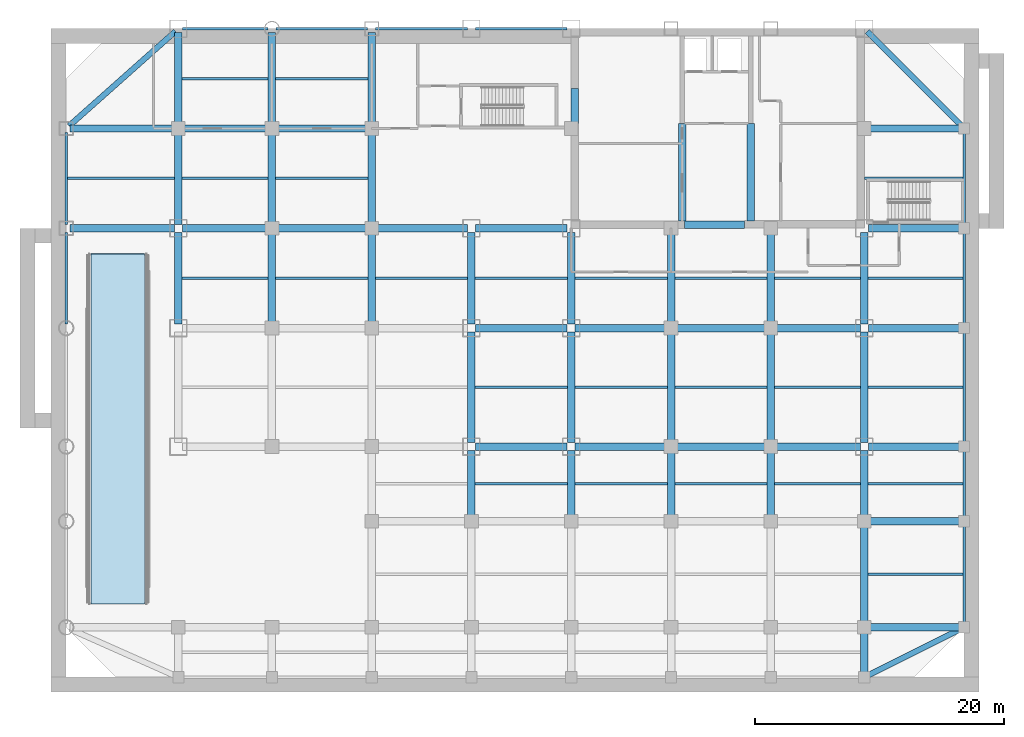
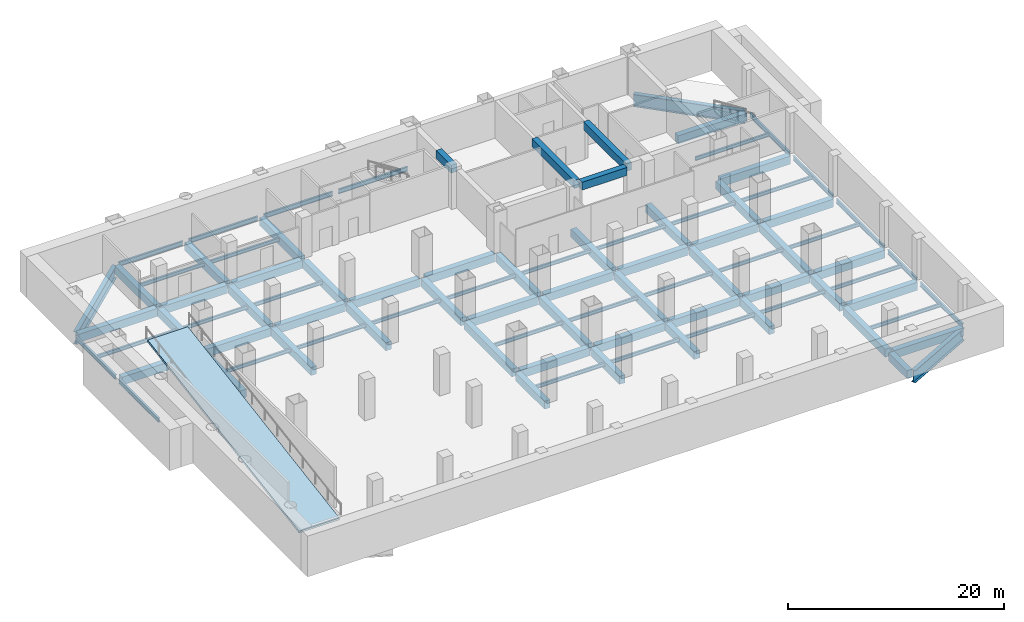
# One storey, part 2 of 8: 91 beams, 1 slab.
"""IFC4 building model written with IfcOpenShell, lengths in metres."""

from ifc_helpers import new_model, si_unit, direction, frame, origin, origin_2d, place, context, subcontext, project, spatial, polyline, rectangle, i_section, outline, extrude, material, layer, layer_set, material_profile, profile_set, type_object, element, save


model = new_model("IFC4")

# Units and contexts
model_context = context("Model", 3, precision=1e-05, world=origin(), true_north=direction((0.0, 1.0)))
body_context = subcontext(model_context, "Body", "Model", "MODEL_VIEW")
ifc_project = project(units=[si_unit("LENGTHUNIT", "METRE"), si_unit("AREAUNIT", "SQUARE_METRE"), si_unit("VOLUMEUNIT", "CUBIC_METRE"), si_unit("PLANEANGLEUNIT", "RADIAN"), si_unit("MASSUNIT", "GRAM", prefix="KILO")], contexts=[model_context])

# Site, building, storey
site_placement = place(None, origin())
site = spatial("IfcSite", under=ifc_project, at=site_placement, CompositionType="ELEMENT")
building_placement = place(site_placement, origin())
building = spatial("IfcBuilding", under=site, at=building_placement, Name="Qianrong Seaharbour Tower", CompositionType="ELEMENT")
storey_placement = place(building_placement, frame((0.0, 0.0, -9.199951171875)))
storey = spatial("IfcBuildingStorey", under=building, at=storey_placement, Name="B02", CompositionType="ELEMENT", Elevation=-9.199951171875)

# Beams
ifc_material_1 = material(Name="Structural steel SN400B", Category="steel")
ifc_material_profile_1 = material_profile(ifc_material_1, i_section(OverallWidth=0.199951171875, OverallDepth=0.39990234375, WebThickness=0.008056640625, FlangeThickness=0.012939453125, FilletRadius=0.01611328125, at=origin_2d()), Name="H400x200x8x13")
ifc_profile_set_1 = profile_set([ifc_material_profile_1], Name="Structural steel SN400B")
beam_type_1 = type_object("IfcBeamType", Name="BM-J-400", PredefinedType="JOIST", material=ifc_profile_set_1)
beam_1_placement = place(storey_placement, frame((0.10009765625, 40.0, -0.56005859375), z_axis=(1.0, 0.0, 0.0), x_axis=(0.0, 1.0, 0.0)))
element("IfcBeam", 1, at=beam_1_placement, inside=storey, type_object=beam_type_1, Name="B02 Composite Floor Joist G1-G2/GF-GG", PredefinedType="JOIST", context=body_context, shape_type="SweptSolid", body=[
    extrude(i_section(OverallWidth=0.199951171875, OverallDepth=0.39990234375, WebThickness=0.008056640625, FlangeThickness=0.012939453125, FilletRadius=0.01611328125, at=origin_2d()), origin(), (0.0, 0.0, 1.0), 8.599853515625),
])
for number, where, z_axis, x_axis, name in (
    (2, (9.300048828125, 32.0, -0.56005859375), (1.0, 0.0, 0.0), (0.0, 1.0, 0.0), "B02 Composite Floor Joist G2-G3/GE-GF"),
    (3, (9.300048828125, 40.0, -0.56005859375), (1.0, 0.0, 0.0), (0.0, 1.0, 0.0), "B02 Composite Floor Joist G2-G3/GF-GG"),
    (4, (9.300048828125, 48.0, -0.56005859375), (1.0, 0.0, 0.0), (0.0, 1.0, 0.0), "B02 Composite Floor Joist G2-G3/GG-GH"),
):
    element("IfcBeam", number, at=place(storey_placement, frame(where, z_axis=z_axis, x_axis=x_axis)), inside=storey, type_object=beam_type_1, Name=name, PredefinedType="JOIST", context=body_context, shape_type="SweptSolid", body=[
        extrude(i_section(OverallWidth=0.199951171875, OverallDepth=0.39990234375, WebThickness=0.008056640625, FlangeThickness=0.012939453125, FilletRadius=0.01611328125, at=origin_2d()), origin(), (0.0, 0.0, 1.0), 6.89990234375),
    ])
for number, where, z_axis, x_axis, name in (
    (5, (16.800048828125, 32.0, -0.56005859375), (1.0, 0.0, 0.0), (0.0, 1.0, 0.0), "B02 Composite Floor Joist G3-G4/GE-GF"),
    (6, (16.800048828125, 40.0, -0.56005859375), (1.0, 0.0, 0.0), (0.0, 1.0, 0.0), "B02 Composite Floor Joist G3-G4/GF-GG"),
    (7, (16.800048828125, 48.0, -0.56005859375), (1.0, 0.0, 0.0), (0.0, 1.0, 0.0), "B02 Composite Floor Joist G3-G4/GG-GH"),
    (8, (24.800048828125, 32.0, -0.56005859375), (1.0, 0.0, 0.0), (0.0, 1.0, 0.0), "B02 Composite Floor Joist G4-G5/GE-GF"),
    (9, (32.800048828125, 15.5, -0.56005859375), (1.0, 0.0, 0.0), (0.0, 1.0, 0.0), "B02 Composite Floor Joist G5-G6/GC-GD"),
    (10, (32.800048828125, 23.25, -0.56005859375), (1.0, 0.0, 0.0), (0.0, 1.0, 0.0), "B02 Composite Floor Joist G5-G6/GD-GE"),
    (11, (32.800048828125, 32.0, -0.56005859375), (1.0, 0.0, 0.0), (0.0, 1.0, 0.0), "B02 Composite Floor Joist G5-G6/GE-GF"),
    (12, (40.800048828125, 15.5, -0.56005859375), (1.0, 0.0, 0.0), (0.0, 1.0, 0.0), "B02 Composite Floor Joist G6-G7/GC-GD"),
    (13, (40.800048828125, 23.25, -0.56005859375), (1.0, 0.0, 0.0), (0.0, 1.0, 0.0), "B02 Composite Floor Joist G6-G7/GD-GE"),
    (14, (40.800048828125, 32.0, -0.56005859375), (1.0, 0.0, 0.0), (0.0, 1.0, 0.0), "B02 Composite Floor Joist G6-G7/GE-GF"),
    (15, (48.800048828125, 15.5, -0.56005859375), (1.0, 0.0, 0.0), (0.0, 1.0, 0.0), "B02 Composite Floor Joist G7-G8/GC-GD"),
    (16, (48.800048828125, 23.25, -0.56005859375), (1.0, 0.0, 0.0), (0.0, 1.0, 0.0), "B02 Composite Floor Joist G7-G8/GD-GE"),
    (17, (48.800048828125, 32.0, -0.56005859375), (1.0, 0.0, 0.0), (0.0, 1.0, 0.0), "B02 Composite Floor Joist G7-G8/GE-GF"),
):
    element("IfcBeam", number, at=place(storey_placement, frame(where, z_axis=z_axis, x_axis=x_axis)), inside=storey, type_object=beam_type_1, Name=name, PredefinedType="JOIST", context=body_context, shape_type="SweptSolid", body=[
        extrude(i_section(OverallWidth=0.199951171875, OverallDepth=0.39990234375, WebThickness=0.008056640625, FlangeThickness=0.012939453125, FilletRadius=0.01611328125, at=origin_2d()), origin(), (0.0, 0.0, 1.0), 7.39990234375),
    ])
for number, where, z_axis, x_axis, name in (
    (18, (56.800048828125, 15.5, -0.56005859375), (1.0, 0.0, 0.0), (0.0, 1.0, 0.0), "B02 Composite Floor Joist G8-G9/GC-GD"),
    (19, (56.800048828125, 23.25, -0.56005859375), (1.0, 0.0, 0.0), (0.0, 1.0, 0.0), "B02 Composite Floor Joist G8-G9/GD-GE"),
    (20, (56.800048828125, 32.0, -0.56005859375), (1.0, 0.0, 0.0), (0.0, 1.0, 0.0), "B02 Composite Floor Joist G8-G9/GE-GF"),
):
    element("IfcBeam", number, at=place(storey_placement, frame(where, z_axis=z_axis, x_axis=x_axis)), inside=storey, type_object=beam_type_1, Name=name, PredefinedType="JOIST", context=body_context, shape_type="SweptSolid", body=[
        extrude(i_section(OverallWidth=0.199951171875, OverallDepth=0.39990234375, WebThickness=0.008056640625, FlangeThickness=0.012939453125, FilletRadius=0.01611328125, at=origin_2d()), origin(), (0.0, 0.0, 1.0), 6.89990234375),
    ])
for number, where, z_axis, x_axis, name in (
    (21, (64.300048828125, 8.25, -0.56005859375), (1.0, 0.0, 0.0), (0.0, 1.0, 0.0), "B02 Composite Floor Joist G9-G10/GB-GC"),
    (22, (64.300048828125, 15.5, -0.56005859375), (1.0, 0.0, 0.0), (0.0, 1.0, 0.0), "B02 Composite Floor Joist G9-G10/GC-GD"),
    (23, (64.300048828125, 23.25, -0.56005859375), (1.0, 0.0, 0.0), (0.0, 1.0, 0.0), "B02 Composite Floor Joist G9-G10/GD-GE"),
    (24, (64.300048828125, 32.0, -0.56005859375), (1.0, 0.0, 0.0), (0.0, 1.0, 0.0), "B02 Composite Floor Joist G9-G10/GE-GF"),
):
    element("IfcBeam", number, at=place(storey_placement, frame(where, z_axis=z_axis, x_axis=x_axis)), inside=storey, type_object=beam_type_1, Name=name, PredefinedType="JOIST", context=body_context, shape_type="SweptSolid", body=[
        extrude(i_section(OverallWidth=0.199951171875, OverallDepth=0.39990234375, WebThickness=0.008056640625, FlangeThickness=0.012939453125, FilletRadius=0.01611328125, at=origin_2d()), origin(), (0.0, 0.0, 1.0), 7.599853515625),
    ])
beam_2_placement = place(storey_placement, frame((64.0, 40.0, -0.56005859375), z_axis=(1.0, 0.0, 0.0), x_axis=(0.0, 1.0, 0.0)))
element("IfcBeam", 25, at=beam_2_placement, inside=storey, type_object=beam_type_1, Name="B02 Composite Floor Joist G9-G10/GF-GG", PredefinedType="JOIST", context=body_context, shape_type="SweptSolid", body=[
    extrude(i_section(OverallWidth=0.199951171875, OverallDepth=0.39990234375, WebThickness=0.008056640625, FlangeThickness=0.012939453125, FilletRadius=0.01611328125, at=origin_2d()), origin(), (0.0, 0.0, 1.0), 7.89990234375),
])
ifc_material_2 = material(Name="Concrete C70/85", Category="concrete")
ifc_material_profile_2 = material_profile(ifc_material_2, rectangle(XDim=0.60009765625, YDim=0.89990234375, at=origin_2d()), Name="RC600x900")
ifc_profile_set_2 = profile_set([ifc_material_profile_2], Name="Concrete C70/85")
beam_type_2 = type_object("IfcBeamType", Name="BM-LINTEL-900", PredefinedType="LINTEL", material=ifc_profile_set_2)
beam_3_placement = place(storey_placement, frame((40.7900390625, 44.39990234375, 3.7900390625), z_axis=(0.0, 1.0, 0.0), x_axis=(-1.0, 0.0, 0.0)))
element("IfcBeam", 26, at=beam_3_placement, inside=storey, type_object=beam_type_2, Name="B02 Core Coupling Lintel Beam West", PredefinedType="LINTEL", context=body_context, shape_type="SweptSolid", body=[
    extrude(rectangle(XDim=0.60009765625, YDim=0.89990234375, at=origin_2d()), origin(), (0.0, 0.0, 1.0), 2.800048828125),
])
beam_4_placement = place(storey_placement, frame((49.60009765625, 36.2900390625, 3.7900390625), z_axis=(1.0, 0.0, 0.0), x_axis=(0.0, 1.0, 0.0)))
element("IfcBeam", 27, at=beam_4_placement, inside=storey, type_object=beam_type_2, Name="B02 Core Coupling Lintel Beam CBC", PredefinedType="LINTEL", context=body_context, shape_type="SweptSolid", body=[
    extrude(rectangle(XDim=0.60009765625, YDim=0.89990234375, at=origin_2d()), origin(), (0.0, 0.0, 1.0), 4.7998046875),
])
for number, where, z_axis, x_axis, name in (
    (28, (49.39990234375, 36.580078125, 3.7900390625), (0.0, 1.0, 0.0), (-1.0, 0.0, 0.0), "B02 Internal Core Coupling Beam IW1"),
    (29, (54.89990234375, 36.580078125, 3.7900390625), (0.0, 1.0, 0.0), (-1.0, 0.0, 0.0), "B02 Internal Core Coupling Beam IW2"),
):
    element("IfcBeam", number, at=place(storey_placement, frame(where, z_axis=z_axis, x_axis=x_axis)), inside=storey, type_object=beam_type_2, Name=name, PredefinedType="LINTEL", context=body_context, shape_type="SweptSolid", body=[
        extrude(rectangle(XDim=0.60009765625, YDim=0.89990234375, at=origin_2d()), origin(), (0.0, 0.0, 1.0), 7.81982421875),
    ])
ifc_material_3 = material(Name="Concrete C50/60", Category="concrete")
ifc_material_profile_3 = material_profile(ifc_material_3, rectangle(XDim=0.60009765625, YDim=0.89990234375, at=origin_2d()), Name="RC600x900")
ifc_profile_set_3 = profile_set([ifc_material_profile_3], Name="Concrete C50/60")
beam_type_3 = type_object("IfcBeamType", Name="BM-RC-T900", PredefinedType="T_BEAM", material=ifc_profile_set_3)
for number, where, z_axis, x_axis, name in (
    (30, (64.320068359375, 4.0, -0.81005859375), (1.0, 0.0, 0.0), (0.0, 1.0, 0.0), "B02 Primary Girder GB G9-G10"),
    (31, (64.320068359375, 12.5, -0.81005859375), (1.0, 0.0, 0.0), (0.0, 1.0, 0.0), "B02 Primary Girder GC G9-G10"),
    (32, (32.820068359375, 18.5, -0.81005859375), (1.0, 0.0, 0.0), (0.0, 1.0, 0.0), "B02 Primary Girder GD G5-G6"),
    (33, (40.820068359375, 18.5, -0.81005859375), (1.0, 0.0, 0.0), (0.0, 1.0, 0.0), "B02 Primary Girder GD G6-G7"),
    (34, (48.820068359375, 18.5, -0.81005859375), (1.0, 0.0, 0.0), (0.0, 1.0, 0.0), "B02 Primary Girder GD G7-G8"),
):
    element("IfcBeam", number, at=place(storey_placement, frame(where, z_axis=z_axis, x_axis=x_axis)), inside=storey, type_object=beam_type_3, Name=name, PredefinedType="T_BEAM", context=body_context, shape_type="SweptSolid", body=[
        extrude(rectangle(XDim=0.60009765625, YDim=0.89990234375, at=origin_2d()), origin(), (0.0, 0.0, 1.0), 7.35986328125),
    ])
beam_5_placement = place(storey_placement, frame((56.820068359375, 18.5, -0.81005859375), z_axis=(1.0, 0.0, 0.0), x_axis=(0.0, 1.0, 0.0)))
element("IfcBeam", 35, at=beam_5_placement, inside=storey, type_object=beam_type_3, Name="B02 Primary Girder GD G8-G9", PredefinedType="T_BEAM", context=body_context, shape_type="SweptSolid", body=[
    extrude(rectangle(XDim=0.60009765625, YDim=0.89990234375, at=origin_2d()), origin(), (0.0, 0.0, 1.0), 6.85986328125),
])
for number, where, z_axis, x_axis, name in (
    (36, (64.320068359375, 18.5, -0.81005859375), (1.0, 0.0, 0.0), (0.0, 1.0, 0.0), "B02 Primary Girder GD G9-G10"),
    (37, (32.820068359375, 28.0, -0.81005859375), (1.0, 0.0, 0.0), (0.0, 1.0, 0.0), "B02 Primary Girder GE G5-G6"),
    (38, (40.820068359375, 28.0, -0.81005859375), (1.0, 0.0, 0.0), (0.0, 1.0, 0.0), "B02 Primary Girder GE G6-G7"),
    (39, (48.820068359375, 28.0, -0.81005859375), (1.0, 0.0, 0.0), (0.0, 1.0, 0.0), "B02 Primary Girder GE G7-G8"),
):
    element("IfcBeam", number, at=place(storey_placement, frame(where, z_axis=z_axis, x_axis=x_axis)), inside=storey, type_object=beam_type_3, Name=name, PredefinedType="T_BEAM", context=body_context, shape_type="SweptSolid", body=[
        extrude(rectangle(XDim=0.60009765625, YDim=0.89990234375, at=origin_2d()), origin(), (0.0, 0.0, 1.0), 7.35986328125),
    ])
beam_6_placement = place(storey_placement, frame((56.820068359375, 28.0, -0.81005859375), z_axis=(1.0, 0.0, 0.0), x_axis=(0.0, 1.0, 0.0)))
element("IfcBeam", 40, at=beam_6_placement, inside=storey, type_object=beam_type_3, Name="B02 Primary Girder GE G8-G9", PredefinedType="T_BEAM", context=body_context, shape_type="SweptSolid", body=[
    extrude(rectangle(XDim=0.60009765625, YDim=0.89990234375, at=origin_2d()), origin(), (0.0, 0.0, 1.0), 6.85986328125),
])
beam_7_placement = place(storey_placement, frame((64.320068359375, 28.0, -0.81005859375), z_axis=(1.0, 0.0, 0.0), x_axis=(0.0, 1.0, 0.0)))
element("IfcBeam", 41, at=beam_7_placement, inside=storey, type_object=beam_type_3, Name="B02 Primary Girder GE G9-G10", PredefinedType="T_BEAM", context=body_context, shape_type="SweptSolid", body=[
    extrude(rectangle(XDim=0.60009765625, YDim=0.89990234375, at=origin_2d()), origin(), (0.0, 0.0, 1.0), 7.35986328125),
])
beam_8_placement = place(storey_placement, frame((0.320068359375, 36.0, -0.81005859375), z_axis=(1.0, 0.0, 0.0), x_axis=(0.0, 1.0, 0.0)))
element("IfcBeam", 42, at=beam_8_placement, inside=storey, type_object=beam_type_3, Name="B02 Primary Girder GF G1-G2", PredefinedType="T_BEAM", context=body_context, shape_type="SweptSolid", body=[
    extrude(rectangle(XDim=0.60009765625, YDim=0.89990234375, at=origin_2d()), origin(), (0.0, 0.0, 1.0), 8.35986328125),
])
beam_9_placement = place(storey_placement, frame((9.320068359375, 36.0, -0.81005859375), z_axis=(1.0, 0.0, 0.0), x_axis=(0.0, 1.0, 0.0)))
element("IfcBeam", 43, at=beam_9_placement, inside=storey, type_object=beam_type_3, Name="B02 Primary Girder GF G2-G3", PredefinedType="T_BEAM", context=body_context, shape_type="SweptSolid", body=[
    extrude(rectangle(XDim=0.60009765625, YDim=0.89990234375, at=origin_2d()), origin(), (0.0, 0.0, 1.0), 6.85986328125),
])
for number, where, z_axis, x_axis, name in (
    (44, (16.820068359375, 36.0, -0.81005859375), (1.0, 0.0, 0.0), (0.0, 1.0, 0.0), "B02 Primary Girder GF G3-G4"),
    (45, (24.820068359375, 36.0, -0.81005859375), (1.0, 0.0, 0.0), (0.0, 1.0, 0.0), "B02 Primary Girder GF G4-G5"),
    (46, (32.820068359375, 36.0, -0.81005859375), (1.0, 0.0, 0.0), (0.0, 1.0, 0.0), "B02 Primary Girder GF G5-G6"),
    (47, (64.320068359375, 36.0, -0.81005859375), (1.0, 0.0, 0.0), (0.0, 1.0, 0.0), "B02 Primary Girder GF G9-G10"),
):
    element("IfcBeam", number, at=place(storey_placement, frame(where, z_axis=z_axis, x_axis=x_axis)), inside=storey, type_object=beam_type_3, Name=name, PredefinedType="T_BEAM", context=body_context, shape_type="SweptSolid", body=[
        extrude(rectangle(XDim=0.60009765625, YDim=0.89990234375, at=origin_2d()), origin(), (0.0, 0.0, 1.0), 7.35986328125),
    ])
beam_10_placement = place(storey_placement, frame((0.320068359375, 44.0, -0.81005859375), z_axis=(1.0, 0.0, 0.0), x_axis=(0.0, 1.0, 0.0)))
element("IfcBeam", 48, at=beam_10_placement, inside=storey, type_object=beam_type_3, Name="B02 Primary Girder GG G1-G2", PredefinedType="T_BEAM", context=body_context, shape_type="SweptSolid", body=[
    extrude(rectangle(XDim=0.60009765625, YDim=0.89990234375, at=origin_2d()), origin(), (0.0, 0.0, 1.0), 8.35986328125),
])
beam_11_placement = place(storey_placement, frame((9.320068359375, 44.0, -0.81005859375), z_axis=(1.0, 0.0, 0.0), x_axis=(0.0, 1.0, 0.0)))
element("IfcBeam", 49, at=beam_11_placement, inside=storey, type_object=beam_type_3, Name="B02 Primary Girder GG G2-G3", PredefinedType="T_BEAM", context=body_context, shape_type="SweptSolid", body=[
    extrude(rectangle(XDim=0.60009765625, YDim=0.89990234375, at=origin_2d()), origin(), (0.0, 0.0, 1.0), 6.85986328125),
])
for number, where, z_axis, x_axis, name in (
    (50, (16.820068359375, 44.0, -0.81005859375), (1.0, 0.0, 0.0), (0.0, 1.0, 0.0), "B02 Primary Girder GG G3-G4"),
    (51, (64.320068359375, 44.0, -0.81005859375), (1.0, 0.0, 0.0), (0.0, 1.0, 0.0), "B02 Primary Girder GG G9-G10"),
    (52, (9.0, 28.320068359375, -0.81005859375), (0.0, 1.0, 0.0), (-1.0, 0.0, 0.0), "B02 Primary Girder G2 GE-GF"),
    (53, (9.0, 36.320068359375, -0.81005859375), (0.0, 1.0, 0.0), (-1.0, 0.0, 0.0), "B02 Primary Girder G2 GF-GG"),
    (54, (9.0, 44.320068359375, -0.81005859375), (0.0, 1.0, 0.0), (-1.0, 0.0, 0.0), "B02 Primary Girder G2 GG-GH"),
    (55, (16.5, 28.320068359375, -0.81005859375), (0.0, 1.0, 0.0), (-1.0, 0.0, 0.0), "B02 Primary Girder G3 GE-GF"),
    (56, (16.5, 36.320068359375, -0.81005859375), (0.0, 1.0, 0.0), (-1.0, 0.0, 0.0), "B02 Primary Girder G3 GF-GG"),
    (57, (16.5, 44.320068359375, -0.81005859375), (0.0, 1.0, 0.0), (-1.0, 0.0, 0.0), "B02 Primary Girder G3 GG-GH"),
    (58, (24.5, 28.320068359375, -0.81005859375), (0.0, 1.0, 0.0), (-1.0, 0.0, 0.0), "B02 Primary Girder G4 GE-GF"),
    (59, (24.5, 36.320068359375, -0.81005859375), (0.0, 1.0, 0.0), (-1.0, 0.0, 0.0), "B02 Primary Girder G4 GF-GG"),
    (60, (24.5, 44.320068359375, -0.81005859375), (0.0, 1.0, 0.0), (-1.0, 0.0, 0.0), "B02 Primary Girder G4 GG-GH"),
):
    element("IfcBeam", number, at=place(storey_placement, frame(where, z_axis=z_axis, x_axis=x_axis)), inside=storey, type_object=beam_type_3, Name=name, PredefinedType="T_BEAM", context=body_context, shape_type="SweptSolid", body=[
        extrude(rectangle(XDim=0.60009765625, YDim=0.89990234375, at=origin_2d()), origin(), (0.0, 0.0, 1.0), 7.35986328125),
    ])
beam_12_placement = place(storey_placement, frame((32.5, 12.820068359375, -0.81005859375), z_axis=(0.0, 1.0, 0.0), x_axis=(-1.0, 0.0, 0.0)))
element("IfcBeam", 61, at=beam_12_placement, inside=storey, type_object=beam_type_3, Name="B02 Primary Girder G5 GC-GD", PredefinedType="T_BEAM", context=body_context, shape_type="SweptSolid", body=[
    extrude(rectangle(XDim=0.60009765625, YDim=0.89990234375, at=origin_2d()), origin(), (0.0, 0.0, 1.0), 5.35986328125),
])
beam_13_placement = place(storey_placement, frame((32.5, 18.820068359375, -0.81005859375), z_axis=(0.0, 1.0, 0.0), x_axis=(-1.0, 0.0, 0.0)))
element("IfcBeam", 62, at=beam_13_placement, inside=storey, type_object=beam_type_3, Name="B02 Primary Girder G5 GD-GE", PredefinedType="T_BEAM", context=body_context, shape_type="SweptSolid", body=[
    extrude(rectangle(XDim=0.60009765625, YDim=0.89990234375, at=origin_2d()), origin(), (0.0, 0.0, 1.0), 8.85986328125),
])
beam_14_placement = place(storey_placement, frame((32.5, 28.320068359375, -0.81005859375), z_axis=(0.0, 1.0, 0.0), x_axis=(-1.0, 0.0, 0.0)))
element("IfcBeam", 63, at=beam_14_placement, inside=storey, type_object=beam_type_3, Name="B02 Primary Girder G5 GE-GF", PredefinedType="T_BEAM", context=body_context, shape_type="SweptSolid", body=[
    extrude(rectangle(XDim=0.60009765625, YDim=0.89990234375, at=origin_2d()), origin(), (0.0, 0.0, 1.0), 7.35986328125),
])
beam_15_placement = place(storey_placement, frame((40.5, 12.820068359375, -0.81005859375), z_axis=(0.0, 1.0, 0.0), x_axis=(-1.0, 0.0, 0.0)))
element("IfcBeam", 64, at=beam_15_placement, inside=storey, type_object=beam_type_3, Name="B02 Primary Girder G6 GC-GD", PredefinedType="T_BEAM", context=body_context, shape_type="SweptSolid", body=[
    extrude(rectangle(XDim=0.60009765625, YDim=0.89990234375, at=origin_2d()), origin(), (0.0, 0.0, 1.0), 5.35986328125),
])
beam_16_placement = place(storey_placement, frame((40.5, 18.820068359375, -0.81005859375), z_axis=(0.0, 1.0, 0.0), x_axis=(-1.0, 0.0, 0.0)))
element("IfcBeam", 65, at=beam_16_placement, inside=storey, type_object=beam_type_3, Name="B02 Primary Girder G6 GD-GE", PredefinedType="T_BEAM", context=body_context, shape_type="SweptSolid", body=[
    extrude(rectangle(XDim=0.60009765625, YDim=0.89990234375, at=origin_2d()), origin(), (0.0, 0.0, 1.0), 8.85986328125),
])
beam_17_placement = place(storey_placement, frame((40.5, 28.320068359375, -0.81005859375), z_axis=(0.0, 1.0, 0.0), x_axis=(-1.0, 0.0, 0.0)))
element("IfcBeam", 66, at=beam_17_placement, inside=storey, type_object=beam_type_3, Name="B02 Primary Girder G6 GE-GF", PredefinedType="T_BEAM", context=body_context, shape_type="SweptSolid", body=[
    extrude(rectangle(XDim=0.60009765625, YDim=0.89990234375, at=origin_2d()), origin(), (0.0, 0.0, 1.0), 7.35986328125),
])
beam_18_placement = place(storey_placement, frame((48.5, 12.820068359375, -0.81005859375), z_axis=(0.0, 1.0, 0.0), x_axis=(-1.0, 0.0, 0.0)))
element("IfcBeam", 67, at=beam_18_placement, inside=storey, type_object=beam_type_3, Name="B02 Primary Girder G7 GC-GD", PredefinedType="T_BEAM", context=body_context, shape_type="SweptSolid", body=[
    extrude(rectangle(XDim=0.60009765625, YDim=0.89990234375, at=origin_2d()), origin(), (0.0, 0.0, 1.0), 5.35986328125),
])
beam_19_placement = place(storey_placement, frame((48.5, 18.820068359375, -0.81005859375), z_axis=(0.0, 1.0, 0.0), x_axis=(-1.0, 0.0, 0.0)))
element("IfcBeam", 68, at=beam_19_placement, inside=storey, type_object=beam_type_3, Name="B02 Primary Girder G7 GD-GE", PredefinedType="T_BEAM", context=body_context, shape_type="SweptSolid", body=[
    extrude(rectangle(XDim=0.60009765625, YDim=0.89990234375, at=origin_2d()), origin(), (0.0, 0.0, 1.0), 8.85986328125),
])
beam_20_placement = place(storey_placement, frame((48.5, 28.320068359375, -0.81005859375), z_axis=(0.0, 1.0, 0.0), x_axis=(-1.0, 0.0, 0.0)))
element("IfcBeam", 69, at=beam_20_placement, inside=storey, type_object=beam_type_3, Name="B02 Primary Girder G7 GE-GF", PredefinedType="T_BEAM", context=body_context, shape_type="SweptSolid", body=[
    extrude(rectangle(XDim=0.60009765625, YDim=0.89990234375, at=origin_2d()), origin(), (0.0, 0.0, 1.0), 7.35986328125),
])
beam_21_placement = place(storey_placement, frame((56.5, 12.820068359375, -0.81005859375), z_axis=(0.0, 1.0, 0.0), x_axis=(-1.0, 0.0, 0.0)))
element("IfcBeam", 70, at=beam_21_placement, inside=storey, type_object=beam_type_3, Name="B02 Primary Girder G8 GC-GD", PredefinedType="T_BEAM", context=body_context, shape_type="SweptSolid", body=[
    extrude(rectangle(XDim=0.60009765625, YDim=0.89990234375, at=origin_2d()), origin(), (0.0, 0.0, 1.0), 5.35986328125),
])
beam_22_placement = place(storey_placement, frame((56.5, 18.820068359375, -0.81005859375), z_axis=(0.0, 1.0, 0.0), x_axis=(-1.0, 0.0, 0.0)))
element("IfcBeam", 71, at=beam_22_placement, inside=storey, type_object=beam_type_3, Name="B02 Primary Girder G8 GD-GE", PredefinedType="T_BEAM", context=body_context, shape_type="SweptSolid", body=[
    extrude(rectangle(XDim=0.60009765625, YDim=0.89990234375, at=origin_2d()), origin(), (0.0, 0.0, 1.0), 8.85986328125),
])
beam_23_placement = place(storey_placement, frame((56.5, 28.320068359375, -0.81005859375), z_axis=(0.0, 1.0, 0.0), x_axis=(-1.0, 0.0, 0.0)))
element("IfcBeam", 72, at=beam_23_placement, inside=storey, type_object=beam_type_3, Name="B02 Primary Girder G8 GE-GF", PredefinedType="T_BEAM", context=body_context, shape_type="SweptSolid", body=[
    extrude(rectangle(XDim=0.60009765625, YDim=0.89990234375, at=origin_2d()), origin(), (0.0, 0.0, 1.0), 7.35986328125),
])
beam_24_placement = place(storey_placement, frame((64.0, 0.320068359375, -0.81005859375), z_axis=(0.0, 1.0, 0.0), x_axis=(-1.0, 0.0, 0.0)))
element("IfcBeam", 73, at=beam_24_placement, inside=storey, type_object=beam_type_3, Name="B02 Primary Girder G9 GA-GB", PredefinedType="T_BEAM", context=body_context, shape_type="SweptSolid", body=[
    extrude(rectangle(XDim=0.60009765625, YDim=0.89990234375, at=origin_2d()), origin(), (0.0, 0.0, 1.0), 3.35986328125),
])
beam_25_placement = place(storey_placement, frame((64.0, 4.320068359375, -0.81005859375), z_axis=(0.0, 1.0, 0.0), x_axis=(-1.0, 0.0, 0.0)))
element("IfcBeam", 74, at=beam_25_placement, inside=storey, type_object=beam_type_3, Name="B02 Primary Girder G9 GB-GC", PredefinedType="T_BEAM", context=body_context, shape_type="SweptSolid", body=[
    extrude(rectangle(XDim=0.60009765625, YDim=0.89990234375, at=origin_2d()), origin(), (0.0, 0.0, 1.0), 7.85986328125),
])
beam_26_placement = place(storey_placement, frame((64.0, 12.820068359375, -0.81005859375), z_axis=(0.0, 1.0, 0.0), x_axis=(-1.0, 0.0, 0.0)))
element("IfcBeam", 75, at=beam_26_placement, inside=storey, type_object=beam_type_3, Name="B02 Primary Girder G9 GC-GD", PredefinedType="T_BEAM", context=body_context, shape_type="SweptSolid", body=[
    extrude(rectangle(XDim=0.60009765625, YDim=0.89990234375, at=origin_2d()), origin(), (0.0, 0.0, 1.0), 5.35986328125),
])
beam_27_placement = place(storey_placement, frame((64.0, 18.820068359375, -0.81005859375), z_axis=(0.0, 1.0, 0.0), x_axis=(-1.0, 0.0, 0.0)))
element("IfcBeam", 76, at=beam_27_placement, inside=storey, type_object=beam_type_3, Name="B02 Primary Girder G9 GD-GE", PredefinedType="T_BEAM", context=body_context, shape_type="SweptSolid", body=[
    extrude(rectangle(XDim=0.60009765625, YDim=0.89990234375, at=origin_2d()), origin(), (0.0, 0.0, 1.0), 8.85986328125),
])
beam_28_placement = place(storey_placement, frame((64.0, 28.320068359375, -0.81005859375), z_axis=(0.0, 1.0, 0.0), x_axis=(-1.0, 0.0, 0.0)))
element("IfcBeam", 77, at=beam_28_placement, inside=storey, type_object=beam_type_3, Name="B02 Primary Girder G9 GE-GF", PredefinedType="T_BEAM", context=body_context, shape_type="SweptSolid", body=[
    extrude(rectangle(XDim=0.60009765625, YDim=0.89990234375, at=origin_2d()), origin(), (0.0, 0.0, 1.0), 7.35986328125),
])
ifc_material_4 = material(Name="Structural steel SN490B", Category="steel")
ifc_material_profile_4 = material_profile(ifc_material_4, i_section(OverallWidth=0.199951171875, OverallDepth=0.5, WebThickness=0.010009765625, FlangeThickness=0.01611328125, FilletRadius=0.02001953125, at=origin_2d()), Name="H500x200x10x16")
ifc_profile_set_4 = profile_set([ifc_material_profile_4], Name="Structural steel SN490B")
beam_type_4 = type_object("IfcBeamType", Name="BM-SP-500", PredefinedType="SPANDREL", material=ifc_profile_set_4)
beam_29_placement = place(storey_placement, frame((9.320068359375, 52.0, -0.610107421875), z_axis=(1.0, 0.0, 0.0), x_axis=(0.0, 1.0, 0.0)))
element("IfcBeam", 78, at=beam_29_placement, inside=storey, type_object=beam_type_4, Name="B02 Spandrel Girder GH G2-G3", PredefinedType="SPANDREL", context=body_context, shape_type="SweptSolid", body=[
    extrude(i_section(OverallWidth=0.199951171875, OverallDepth=0.5, WebThickness=0.010009765625, FlangeThickness=0.01611328125, FilletRadius=0.02001953125, at=origin_2d()), origin(), (0.0, 0.0, 1.0), 6.85986328125),
])
for number, where, z_axis, x_axis, name in (
    (79, (16.820068359375, 52.0, -0.610107421875), (1.0, 0.0, 0.0), (0.0, 1.0, 0.0), "B02 Spandrel Girder GH G3-G4"),
    (80, (24.820068359375, 52.0, -0.610107421875), (1.0, 0.0, 0.0), (0.0, 1.0, 0.0), "B02 Spandrel Girder GH G4-G5"),
    (81, (32.820068359375, 52.0, -0.610107421875), (1.0, 0.0, 0.0), (0.0, 1.0, 0.0), "B02 Spandrel Girder GH G5-G6"),
    (82, (0.0, 28.320068359375, -0.610107421875), (0.0, 1.0, 0.0), (-1.0, 0.0, 0.0), "B02 Spandrel Girder G1 GE-GF"),
    (83, (0.0, 36.320068359375, -0.610107421875), (0.0, 1.0, 0.0), (-1.0, 0.0, 0.0), "B02 Spandrel Girder G1 GF-GG"),
):
    element("IfcBeam", number, at=place(storey_placement, frame(where, z_axis=z_axis, x_axis=x_axis)), inside=storey, type_object=beam_type_4, Name=name, PredefinedType="SPANDREL", context=body_context, shape_type="SweptSolid", body=[
        extrude(i_section(OverallWidth=0.199951171875, OverallDepth=0.5, WebThickness=0.010009765625, FlangeThickness=0.01611328125, FilletRadius=0.02001953125, at=origin_2d()), origin(), (0.0, 0.0, 1.0), 7.35986328125),
    ])
beam_30_placement = place(storey_placement, frame((72.0, 4.320068359375, -0.610107421875), z_axis=(0.0, 1.0, 0.0), x_axis=(-1.0, 0.0, 0.0)))
element("IfcBeam", 84, at=beam_30_placement, inside=storey, type_object=beam_type_4, Name="B02 Spandrel Girder G10 GB-GC", PredefinedType="SPANDREL", context=body_context, shape_type="SweptSolid", body=[
    extrude(i_section(OverallWidth=0.199951171875, OverallDepth=0.5, WebThickness=0.010009765625, FlangeThickness=0.01611328125, FilletRadius=0.02001953125, at=origin_2d()), origin(), (0.0, 0.0, 1.0), 7.85986328125),
])
beam_31_placement = place(storey_placement, frame((72.0, 12.820068359375, -0.610107421875), z_axis=(0.0, 1.0, 0.0), x_axis=(-1.0, 0.0, 0.0)))
element("IfcBeam", 85, at=beam_31_placement, inside=storey, type_object=beam_type_4, Name="B02 Spandrel Girder G10 GC-GD", PredefinedType="SPANDREL", context=body_context, shape_type="SweptSolid", body=[
    extrude(i_section(OverallWidth=0.199951171875, OverallDepth=0.5, WebThickness=0.010009765625, FlangeThickness=0.01611328125, FilletRadius=0.02001953125, at=origin_2d()), origin(), (0.0, 0.0, 1.0), 5.35986328125),
])
beam_32_placement = place(storey_placement, frame((72.0, 18.820068359375, -0.610107421875), z_axis=(0.0, 1.0, 0.0), x_axis=(-1.0, 0.0, 0.0)))
element("IfcBeam", 86, at=beam_32_placement, inside=storey, type_object=beam_type_4, Name="B02 Spandrel Girder G10 GD-GE", PredefinedType="SPANDREL", context=body_context, shape_type="SweptSolid", body=[
    extrude(i_section(OverallWidth=0.199951171875, OverallDepth=0.5, WebThickness=0.010009765625, FlangeThickness=0.01611328125, FilletRadius=0.02001953125, at=origin_2d()), origin(), (0.0, 0.0, 1.0), 8.85986328125),
])
for number, where, z_axis, x_axis, name in (
    (87, (72.0, 28.320068359375, -0.610107421875), (0.0, 1.0, 0.0), (-1.0, 0.0, 0.0), "B02 Spandrel Girder G10 GE-GF"),
    (88, (72.0, 36.320068359375, -0.610107421875), (0.0, 1.0, 0.0), (-1.0, 0.0, 0.0), "B02 Spandrel Girder G10 GF-GG"),
):
    element("IfcBeam", number, at=place(storey_placement, frame(where, z_axis=z_axis, x_axis=x_axis)), inside=storey, type_object=beam_type_4, Name=name, PredefinedType="SPANDREL", context=body_context, shape_type="SweptSolid", body=[
        extrude(i_section(OverallWidth=0.199951171875, OverallDepth=0.5, WebThickness=0.010009765625, FlangeThickness=0.01611328125, FilletRadius=0.02001953125, at=origin_2d()), origin(), (0.0, 0.0, 1.0), 7.35986328125),
    ])
ifc_material_profile_5 = material_profile(ifc_material_4, i_section(OverallWidth=0.449951171875, OverallDepth=1.39990234375, WebThickness=0.02197265625, FlangeThickness=0.0400390625, at=origin_2d()), Name="BH1400x450x22x40")
ifc_profile_set_5 = profile_set([ifc_material_profile_5], Name="Structural steel SN490B")
beam_type_5 = type_object("IfcBeamType", Name="BM-TG-1400", PredefinedType="BEAM", material=ifc_profile_set_5)
beam_33_placement = place(storey_placement, frame((8.7607421875, 51.787353515625, -1.06005859375), z_axis=(-0.747406955841, -0.664366497018, 0.0), x_axis=(0.664366497018, -0.747406955841, 0.0)))
element("IfcBeam", 89, at=beam_33_placement, inside=storey, type_object=beam_type_5, Name="B02 Chamfer Corner Spandrel Girder G1/GH", PredefinedType="BEAM", context=body_context, shape_type="SweptSolid", body=[
    extrude(i_section(OverallWidth=0.449951171875, OverallDepth=1.39990234375, WebThickness=0.02197265625, FlangeThickness=0.0400390625, at=origin_2d()), origin(), (0.0, 0.0, 1.0), 11.4013671875),
])
beam_34_placement = place(storey_placement, frame((64.2861328125, 0.14306640625, -1.06005859375), z_axis=(0.894427191, 0.4472135955, 0.0), x_axis=(-0.4472135955, 0.894427191, 0.0)))
element("IfcBeam", 90, at=beam_34_placement, inside=storey, type_object=beam_type_5, Name="B02 Chamfer Corner Spandrel Girder G10/GA", PredefinedType="BEAM", context=body_context, shape_type="SweptSolid", body=[
    extrude(i_section(OverallWidth=0.449951171875, OverallDepth=1.39990234375, WebThickness=0.02197265625, FlangeThickness=0.0400390625, at=origin_2d()), origin(), (0.0, 0.0, 1.0), 8.304443359375),
])
beam_35_placement = place(storey_placement, frame((64.226318359375, 51.773681640625, -1.06005859375), z_axis=(0.707106781187, -0.707106781187, 0.0), x_axis=(0.707106781187, 0.707106781187, 0.0)))
element("IfcBeam", 91, at=beam_35_placement, inside=storey, type_object=beam_type_5, Name="B02 Chamfer Corner Spandrel Girder G10/GH", PredefinedType="BEAM", context=body_context, shape_type="SweptSolid", body=[
    extrude(i_section(OverallWidth=0.449951171875, OverallDepth=1.39990234375, WebThickness=0.02197265625, FlangeThickness=0.0400390625, at=origin_2d()), origin(), (0.0, 0.0, 1.0), 10.673583984375),
])

# Slab
ifc_layer = layer(ifc_material_3, 0.25)
ifc_layer_set = layer_set([ifc_layer], Name="Concrete C50/60")
slab_type = type_object("IfcSlabType", Name="SLAB-VEH-RAMP-250", PredefinedType="USERDEFINED", material=ifc_layer_set)
slab_placement = place(storey_placement, frame((2.0, 5.8798828125, -0.25), z_axis=(0.0, -0.161882153091, 0.986810097491), x_axis=(1.0, 0.0, 0.0)))
element("IfcSlab", 92, at=slab_placement, inside=storey, type_object=slab_type, Name="Car Park Structural Concrete Vehicular Ramp Slab B02 to B01", ObjectType="VEHICLE RAMP SLAB", PredefinedType="USERDEFINED", context=body_context, shape_type="SweptSolid", body=[
    extrude(outline(polyline([(0.0, 0.0), (4.300048828125, 0.0), (4.300048828125, 28.414827871935692), (0.0, 28.414827871935692), (0.0, 0.0)])), origin(), (0.0, 0.0, -1.0), 0.25),
])

save(model, "model.ifc")
